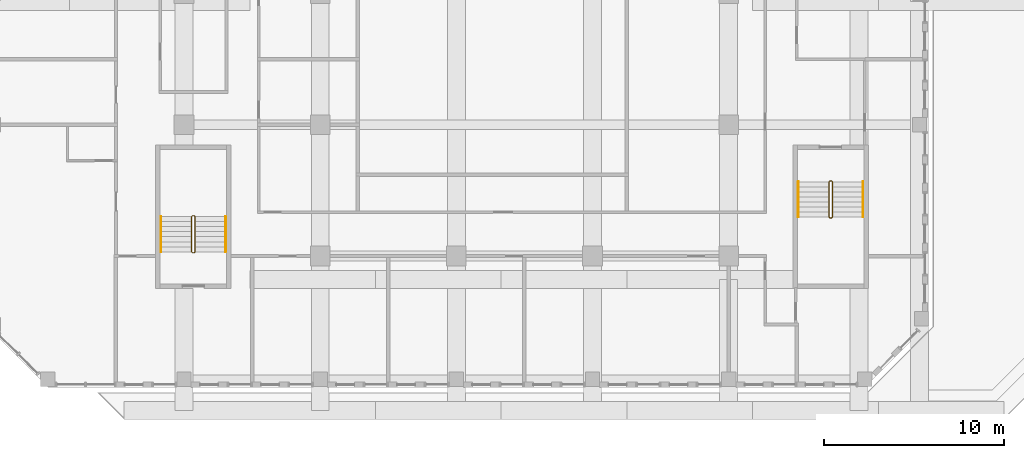
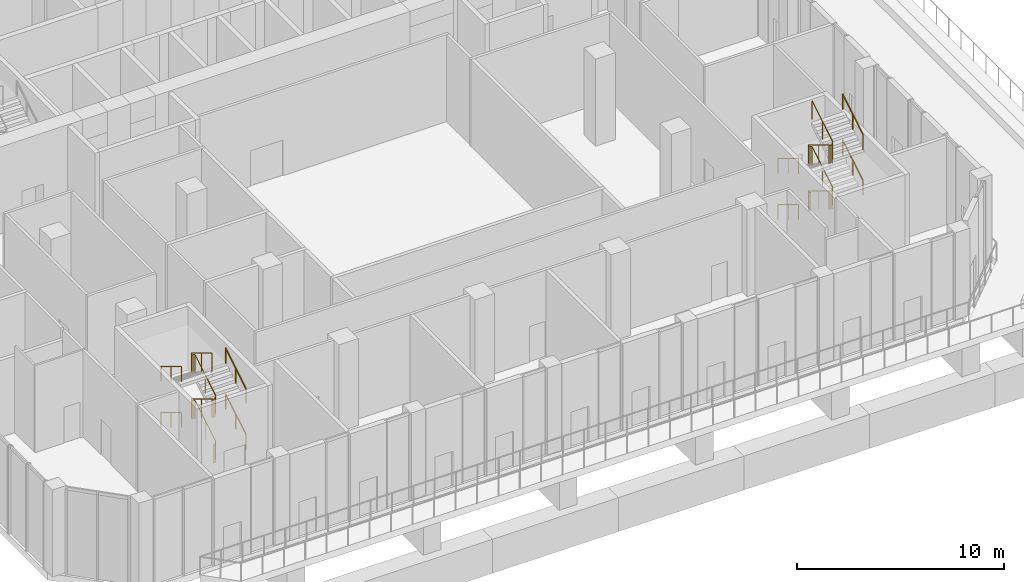
# One storey, part 17 of 19: 10 railings.
"""IFC4 building model written with IfcOpenShell, lengths in metres."""

import ifcopenshell
import ifcopenshell.guid

model = None  # the IFC model being written
_history = None  # IfcOwnerHistory: only IFC2X3 demands one
_inside = {}  # id of a spatial element -> (the spatial element, [elements in it])
_under = {}  # id of a project, library or spatial element -> (it, [spatial elements below it])
_declared = {}  # id of a project -> (the project, [libraries it declares])
_typed = {}  # id of a type object -> (the type object, [elements of that type])
_made_of = {}  # id of a material, layer set ... -> (it, [elements and type objects made of it])


def new_model(schema):
    """Start an empty IFC model of exactly this schema.

    Asked for "IFC4X3", IfcOpenShell would pick the latest addendum, in which some entities
    have other attributes; the version numbers below select the first issue.
    IFC2X3 requires an IfcOwnerHistory on every rooted entity: one is made here for all.
    """
    global model, _history
    if schema == "IFC4X3":
        model = ifcopenshell.file(schema_version=(4, 3, 0, 0))
    else:
        model = ifcopenshell.file(schema=schema)
    _inside.clear()
    _under.clear()
    _declared.clear()
    _typed.clear()
    _made_of.clear()
    _history = None
    if model.schema == "IFC2X3":
        org = make("IfcOrganization", Name="unknown")
        user = make(
            "IfcPersonAndOrganization",
            ThePerson=make("IfcPerson", FamilyName="unknown"),
            TheOrganization=org,
        )
        app = make(
            "IfcApplication",
            ApplicationDeveloper=org,
            Version="unknown",
            ApplicationFullName="unknown",
            ApplicationIdentifier="unknown",
        )
        _history = make(
            "IfcOwnerHistory",
            OwningUser=user,
            OwningApplication=app,
            ChangeAction="ADDED",
            CreationDate=0,
        )
    return model


def make(cls, **values):
    """One entity of the class cls with the attributes given. An attribute that is None is left unset."""
    return model.create_entity(
        cls, **{name: value for name, value in values.items() if value is not None}
    )


def rooted(cls, **values):
    """An entity with a GlobalId (a new one), such as an element, a storey or a relation."""
    return make(cls, GlobalId=ifcopenshell.guid.new(), OwnerHistory=_history, **values)


def si_unit(unit_type, name, prefix=None):
    """IfcSIUnit, for example si_unit("LENGTHUNIT", "METRE", prefix="MILLI")."""
    return make("IfcSIUnit", UnitType=unit_type, Prefix=prefix, Name=name)


def assignment(units):
    """IfcUnitAssignment: the units of a project."""
    return None if units is None else make("IfcUnitAssignment", Units=units)


def point(xyz):
    """IfcCartesianPoint."""
    return None if xyz is None else make("IfcCartesianPoint", Coordinates=xyz)


def direction(xyz):
    """IfcDirection."""
    return None if xyz is None else make("IfcDirection", DirectionRatios=xyz)


def frame(location, z_axis=None, x_axis=None):
    """IfcAxis2Placement3D, a coordinate frame: its origin and axes. An axis left out is left unset."""
    return make(
        "IfcAxis2Placement3D",
        Location=point(location),
        Axis=direction(z_axis),
        RefDirection=direction(x_axis),
    )


def frame_2d(location, x_axis=None):
    """IfcAxis2Placement2D, a coordinate frame in the plane: its origin and x axis."""
    return make(
        "IfcAxis2Placement2D", Location=point(location), RefDirection=direction(x_axis)
    )


def origin():
    """The frame at (0, 0, 0) with its axes left unset."""
    return frame((0.0, 0.0, 0.0))


def origin_2d():
    """The frame at (0, 0) in the plane with its x axis left unset."""
    return frame_2d((0.0, 0.0))


def place(relative_to, where):
    """IfcLocalPlacement: puts the frame where relative to a parent placement (None: the world)."""
    return make(
        "IfcLocalPlacement", PlacementRelTo=relative_to, RelativePlacement=where
    )


def context(
    kind, dimensions, precision=None, world=None, true_north=None, identifier=None
):
    """IfcGeometricRepresentationContext, for example the 3D "Model" context."""
    return make(
        "IfcGeometricRepresentationContext",
        ContextIdentifier=identifier,
        ContextType=kind,
        CoordinateSpaceDimension=dimensions,
        Precision=precision,
        WorldCoordinateSystem=world,
        TrueNorth=true_north,
    )


def subcontext(parent, identifier, kind, view, scale=None):
    """IfcGeometricRepresentationSubContext, for example "Body" below "Model"."""
    return make(
        "IfcGeometricRepresentationSubContext",
        ContextIdentifier=identifier,
        ContextType=kind,
        ParentContext=parent,
        TargetScale=scale,
        TargetView=view,
    )


def project(units=None, contexts=None):
    """IfcProject with its units and contexts."""
    return rooted(
        "IfcProject",
        Name="project",
        RepresentationContexts=contexts,
        UnitsInContext=assignment(units),
    )


def spatial(cls, under=None, at=None, **own):
    """A site, building, storey or space (cls), placed at a placement, below another one or the project."""
    s = rooted(cls, ObjectPlacement=at, **own)
    if under is not None:
        _under.setdefault(under.id(), (under, []))[1].append(s)
    return s


def profile(cls, at=None, kind="AREA", **sizes):
    """A parametric profile (cls). Its sizes go by their IFC names, for example OverallWidth=200.0."""
    return make(cls, ProfileType=kind, Position=at, **sizes)


def circle(**sizes):
    """IfcCircleProfileDef."""
    return profile("IfcCircleProfileDef", **sizes)


def extrude(swept, where, along, depth):
    """IfcExtrudedAreaSolid: the profile swept, set in the frame where, extruded along a direction by depth."""
    return make(
        "IfcExtrudedAreaSolid",
        SweptArea=swept,
        Position=where,
        ExtrudedDirection=direction(along),
        Depth=depth,
    )


def shape(context_of_items, identifier, shape_type, items):
    """IfcShapeRepresentation: the items that make up one representation, for example the "Body"."""
    return make(
        "IfcShapeRepresentation",
        ContextOfItems=context_of_items,
        RepresentationIdentifier=identifier,
        RepresentationType=shape_type,
        Items=items,
    )


def material(Name=None, Category=None):
    """IfcMaterial."""
    return make("IfcMaterial", Name=Name, Category=Category)


def made_of(thing, what):
    """Note that an element or type object is made of a material, layer set ...; save() writes the relation."""
    if what is not None:
        _made_of.setdefault(what.id(), (what, []))[1].append(thing)
    return thing


def type_object(cls, material=None, **own):
    """A type object (cls), such as IfcWallType, which elements share."""
    return made_of(rooted(cls, **own), material)


def element(
    cls,
    number,
    at=None,
    inside=None,
    cuts=None,
    type_object=None,
    material=None,
    context=None,
    identifier="Body",
    shape_type=None,
    held_by="IfcProductDefinitionShape",
    body=None,
    shapes=None,
    **own,
):
    """One element of the class cls, such as IfcWall. Its Tag is "e" and its number.

    at: its placement. inside: the storey or other place that contains it. cuts: it is an
    opening in that element (IfcRelVoidsElement). A single representation is given by context,
    identifier, shape_type and body (its items); several are given by shapes. held_by: the class
    of the entity that holds the representations. save() writes the other relations.
    """
    e = rooted(cls, Tag="e%d" % number, ObjectPlacement=at, **own)
    if body is not None:
        shapes = [shape(context, identifier, shape_type, body)]
    if shapes is not None:
        e.Representation = make(held_by, Representations=shapes)
    if inside is not None:
        _inside.setdefault(inside.id(), (inside, []))[1].append(e)
    if cuts is not None:
        rooted(
            "IfcRelVoidsElement", RelatingBuildingElement=cuts, RelatedOpeningElement=e
        )
    if type_object is not None:
        _typed.setdefault(type_object.id(), (type_object, []))[1].append(e)
    return made_of(e, material)


def aggregate(whole, parts):
    """IfcRelAggregates: a whole, such as a stair, and the parts it consists of."""
    return rooted("IfcRelAggregates", RelatingObject=whole, RelatedObjects=parts)


def save(model, path):
    """Write the relations noted so far, then the file.

    IfcRelAggregates (storeys below a building ...), IfcRelContainedInSpatialStructure (elements
    in a storey), IfcRelDefinesByType, IfcRelAssociatesMaterial and IfcRelDeclares: one each for
    every whole, place, type object, material and project.
    """
    for whole, parts in _under.values():
        aggregate(whole, parts)
    for where, things in _inside.values():
        rooted(
            "IfcRelContainedInSpatialStructure",
            RelatedElements=things,
            RelatingStructure=where,
        )
    for kind, things in _typed.values():
        rooted("IfcRelDefinesByType", RelatedObjects=things, RelatingType=kind)
    for what, things in _made_of.values():
        rooted("IfcRelAssociatesMaterial", RelatedObjects=things, RelatingMaterial=what)
    for by, libraries in _declared.values():
        rooted("IfcRelDeclares", RelatingContext=by, RelatedDefinitions=libraries)
    model.write(path)


model = new_model("IFC4")

# Units and contexts
model_context = context("Model", 3, precision=1e-05, world=origin(), true_north=direction((0.0, 1.0)))
body_context = subcontext(model_context, "Body", "Model", "MODEL_VIEW")
ifc_project = project(units=[si_unit("LENGTHUNIT", "METRE"), si_unit("AREAUNIT", "SQUARE_METRE"), si_unit("VOLUMEUNIT", "CUBIC_METRE"), si_unit("PLANEANGLEUNIT", "RADIAN"), si_unit("MASSUNIT", "GRAM", prefix="KILO")], contexts=[model_context])

# Site, building, storey
site_placement = place(None, origin())
site = spatial("IfcSite", under=ifc_project, at=site_placement, CompositionType="ELEMENT")
building_placement = place(site_placement, origin())
building = spatial("IfcBuilding", under=site, at=building_placement, Name="Kilnfold Tower and Market Hall", CompositionType="ELEMENT")
storey_placement = place(building_placement, frame((0.0, 0.0, 138.5)))
storey = spatial("IfcBuildingStorey", under=building, at=storey_placement, Name="L31", CompositionType="ELEMENT", Elevation=138.5)

# Railings
ifc_material_1 = material(Name="Stainless steel 316", Category="steel")
railing_type_1 = type_object("IfcRailingType", Name="CORE STAIR GUARD 1100", PredefinedType="GUARDRAIL", material=ifc_material_1)
railing_1_placement = place(storey_placement, frame((-15.699951171875, -13.75, 0.0)))
element("IfcRailing", 1, at=railing_1_placement, inside=storey, type_object=railing_type_1, Name="L31 ST3 stair guard 1", PredefinedType="GUARDRAIL", context=body_context, shape_type="SweptSolid", body=[
    extrude(circle(Radius=0.02392578125, at=origin_2d()), frame((0.0, 0.0, 1.076171875), z_axis=(1.0, 0.0, 0.0), x_axis=(0.0, 1.0, 0.0)), (0.0, 0.0, 1.0), 0.099853515625),
    extrude(circle(Radius=0.02392578125, at=origin_2d()), frame((0.099853515625, 0.0, 1.076171875), z_axis=(0.273569069059, 0.273569069059, 0.922127935218), x_axis=(-0.707106781187, 0.707106781187, 0.0)), (0.0, 0.0, 1.0), 0.182861328125),
    extrude(circle(Radius=0.02392578125, at=origin_2d()), frame((0.14990234375, 0.050048828125, 1.24462890625), z_axis=(0.0, 0.856446297458, 0.516236127728), x_axis=(-1.0, 0.0, 0.0)), (0.0, 0.0, 1.0), 2.28857421875),
    extrude(circle(Radius=0.02392578125, at=origin_2d()), frame((0.14990234375, 2.010009765625, 2.42626953125), z_axis=(-0.707106781187, 0.707106781187, 0.0), x_axis=(-0.707106781187, -0.707106781187, 0.0)), (0.0, 0.0, 1.0), 0.07080078125),
    extrude(circle(Radius=0.02392578125, at=origin_2d()), frame((0.099853515625, 2.06005859375, 2.42626953125), z_axis=(-1.0, 0.0, 0.0), x_axis=(0.0, -1.0, 0.0)), (0.0, 0.0, 1.0), 0.099853515625),
    extrude(circle(Radius=0.02392578125, at=origin_2d()), frame((0.0, 2.06005859375, 2.42626953125), z_axis=(-0.273569069059, -0.273569069059, 0.922127935218), x_axis=(0.707106781187, -0.707106781187, 0.0)), (0.0, 0.0, 1.0), 0.182861328125),
    extrude(circle(Radius=0.02392578125, at=origin_2d()), frame((-0.050048828125, 2.010009765625, 2.5947265625), z_axis=(0.0, -0.856493463811, 0.516157869696), x_axis=(1.0, 0.0, 0.0)), (0.0, 0.0, 1.0), 2.288330078125),
    extrude(circle(Radius=0.02392578125, at=origin_2d()), frame((-0.050048828125, 0.050048828125, 3.77587890625), z_axis=(0.707106781187, -0.707106781187, 0.0), x_axis=(0.707106781187, 0.707106781187, 0.0)), (0.0, 0.0, 1.0), 0.07080078125),
    extrude(circle(Radius=0.02392578125, at=origin_2d()), frame((0.0, 0.0, 3.77587890625), z_axis=(1.0, 0.0, 0.0), x_axis=(0.0, 1.0, 0.0)), (0.0, 0.0, 1.0), 0.099853515625),
    extrude(circle(Radius=0.02392578125, at=origin_2d()), frame((0.099853515625, 0.0, 3.77587890625), z_axis=(0.273232802156, 0.273232802156, 0.922327312645), x_axis=(-0.707106781187, 0.707106781187, 0.0)), (0.0, 0.0, 1.0), 0.18310546875),
    extrude(circle(Radius=0.02392578125, at=origin_2d()), frame((0.14990234375, 0.050048828125, 3.94482421875), z_axis=(0.0, 0.856493463811, 0.516157869696), x_axis=(-1.0, 0.0, 0.0)), (0.0, 0.0, 1.0), 2.288330078125),
    extrude(circle(Radius=0.02392578125, at=origin_2d()), frame((0.14990234375, 2.010009765625, 5.1259765625), z_axis=(-0.707106781187, 0.707106781187, 0.0), x_axis=(-0.707106781187, -0.707106781187, 0.0)), (0.0, 0.0, 1.0), 0.07080078125),
    extrude(circle(Radius=0.02392578125, at=origin_2d()), frame((0.099853515625, 2.06005859375, 5.1259765625), z_axis=(-1.0, 0.0, 0.0), x_axis=(0.0, -1.0, 0.0)), (0.0, 0.0, 1.0), 0.099853515625),
    extrude(circle(Radius=0.02392578125, at=origin_2d()), frame((0.0, 2.06005859375, 5.1259765625), z_axis=(-0.273569069059, -0.273569069059, 0.922127935218), x_axis=(0.707106781187, -0.707106781187, 0.0)), (0.0, 0.0, 1.0), 0.182861328125),
    extrude(circle(Radius=0.02392578125, at=origin_2d()), frame((-0.050048828125, 2.010009765625, 5.294921875), z_axis=(0.0, -0.856493463811, 0.516157869696), x_axis=(1.0, 0.0, 0.0)), (0.0, 0.0, 1.0), 2.288330078125),
    extrude(circle(Radius=0.02099609375, at=origin_2d()), origin(), (0.0, 0.0, 1.0), 1.052001953125),
    extrude(circle(Radius=0.02099609375, at=origin_2d()), frame((0.099853515625, 0.0, 0.0)), (0.0, 0.0, 1.0), 1.052001953125),
    extrude(circle(Radius=0.02099609375, at=origin_2d()), frame((0.14990234375, 0.050048828125, 0.168701171875)), (0.0, 0.0, 1.0), 1.052001953125),
    extrude(circle(Radius=0.02099609375, at=origin_2d()), frame((0.14990234375, 1.030029296875, 0.75927734375)), (0.0, 0.0, 1.0), 1.052001953125),
    extrude(circle(Radius=0.02099609375, at=origin_2d()), frame((0.14990234375, 2.010009765625, 1.35009765625)), (0.0, 0.0, 1.0), 1.052001953125),
    extrude(circle(Radius=0.02099609375, at=origin_2d()), frame((0.099853515625, 2.06005859375, 1.35009765625)), (0.0, 0.0, 1.0), 1.052001953125),
    extrude(circle(Radius=0.02099609375, at=origin_2d()), frame((0.0, 2.06005859375, 1.35009765625)), (0.0, 0.0, 1.0), 1.052001953125),
    extrude(circle(Radius=0.02099609375, at=origin_2d()), frame((-0.050048828125, 2.010009765625, 1.518798828125)), (0.0, 0.0, 1.0), 1.052001953125),
    extrude(circle(Radius=0.02099609375, at=origin_2d()), frame((-0.050048828125, 1.030029296875, 2.109375)), (0.0, 0.0, 1.0), 1.052001953125),
    extrude(circle(Radius=0.02099609375, at=origin_2d()), frame((-0.050048828125, 0.050048828125, 2.699951171875)), (0.0, 0.0, 1.0), 1.052001953125),
    extrude(circle(Radius=0.02099609375, at=origin_2d()), frame((0.0, 0.0, 2.699951171875)), (0.0, 0.0, 1.0), 1.052001953125),
    extrude(circle(Radius=0.02099609375, at=origin_2d()), frame((0.099853515625, 0.0, 2.699951171875)), (0.0, 0.0, 1.0), 1.052001953125),
    extrude(circle(Radius=0.02099609375, at=origin_2d()), frame((0.14990234375, 0.050048828125, 2.868896484375)), (0.0, 0.0, 1.0), 1.052001953125),
    extrude(circle(Radius=0.02099609375, at=origin_2d()), frame((0.14990234375, 1.030029296875, 3.45947265625)), (0.0, 0.0, 1.0), 1.052001953125),
    extrude(circle(Radius=0.02099609375, at=origin_2d()), frame((0.14990234375, 2.010009765625, 4.050048828125)), (0.0, 0.0, 1.0), 1.052001953125),
    extrude(circle(Radius=0.02099609375, at=origin_2d()), frame((0.099853515625, 2.06005859375, 4.050048828125)), (0.0, 0.0, 1.0), 1.052001953125),
    extrude(circle(Radius=0.02099609375, at=origin_2d()), frame((0.0, 2.06005859375, 4.050048828125)), (0.0, 0.0, 1.0), 1.052001953125),
    extrude(circle(Radius=0.02099609375, at=origin_2d()), frame((-0.050048828125, 2.010009765625, 4.21875)), (0.0, 0.0, 1.0), 1.052001953125),
    extrude(circle(Radius=0.02099609375, at=origin_2d()), frame((-0.050048828125, 1.030029296875, 4.809326171875)), (0.0, 0.0, 1.0), 1.052001953125),
    extrude(circle(Radius=0.02099609375, at=origin_2d()), frame((-0.050048828125, 0.050048828125, 5.39990234375)), (0.0, 0.0, 1.0), 1.052001953125),
])
railing_2_placement = place(storey_placement, frame((19.89990234375, -9.75, 0.0)))
element("IfcRailing", 2, at=railing_2_placement, inside=storey, type_object=railing_type_1, Name="L31 ST4 stair guard 1", PredefinedType="GUARDRAIL", context=body_context, shape_type="SweptSolid", body=[
    extrude(circle(Radius=0.02392578125, at=origin_2d()), frame((0.0, 0.0, 1.076171875), z_axis=(-1.0, 0.0, 0.0), x_axis=(0.0, -1.0, 0.0)), (0.0, 0.0, 1.0), 0.099853515625),
    extrude(circle(Radius=0.02392578125, at=origin_2d()), frame((-0.099853515625, 0.0, 1.076171875), z_axis=(-0.273569069059, -0.273569069059, 0.922127935218), x_axis=(0.707106781187, -0.707106781187, 0.0)), (0.0, 0.0, 1.0), 0.182861328125),
    extrude(circle(Radius=0.02392578125, at=origin_2d()), frame((-0.14990234375, -0.050048828125, 1.24462890625), z_axis=(0.0, -0.856446297458, 0.516236127728), x_axis=(1.0, 0.0, 0.0)), (0.0, 0.0, 1.0), 2.28857421875),
    extrude(circle(Radius=0.02392578125, at=origin_2d()), frame((-0.14990234375, -2.010009765625, 2.42626953125), z_axis=(0.707106781187, -0.707106781187, 0.0), x_axis=(0.707106781187, 0.707106781187, 0.0)), (0.0, 0.0, 1.0), 0.07080078125),
    extrude(circle(Radius=0.02392578125, at=origin_2d()), frame((-0.099853515625, -2.06005859375, 2.42626953125), z_axis=(1.0, 0.0, 0.0), x_axis=(0.0, 1.0, 0.0)), (0.0, 0.0, 1.0), 0.099853515625),
    extrude(circle(Radius=0.02392578125, at=origin_2d()), frame((0.0, -2.06005859375, 2.42626953125), z_axis=(0.273569069059, 0.273569069059, 0.922127935218), x_axis=(-0.707106781187, 0.707106781187, 0.0)), (0.0, 0.0, 1.0), 0.182861328125),
    extrude(circle(Radius=0.02392578125, at=origin_2d()), frame((0.050048828125, -2.010009765625, 2.5947265625), z_axis=(0.0, 0.856493463811, 0.516157869696), x_axis=(-1.0, 0.0, 0.0)), (0.0, 0.0, 1.0), 2.288330078125),
    extrude(circle(Radius=0.02392578125, at=origin_2d()), frame((0.050048828125, -0.050048828125, 3.77587890625), z_axis=(-0.707106781187, 0.707106781187, 0.0), x_axis=(-0.707106781187, -0.707106781187, 0.0)), (0.0, 0.0, 1.0), 0.07080078125),
    extrude(circle(Radius=0.02392578125, at=origin_2d()), frame((0.0, 0.0, 3.77587890625), z_axis=(-1.0, 0.0, 0.0), x_axis=(0.0, -1.0, 0.0)), (0.0, 0.0, 1.0), 0.099853515625),
    extrude(circle(Radius=0.02392578125, at=origin_2d()), frame((-0.099853515625, 0.0, 3.77587890625), z_axis=(-0.273232802156, -0.273232802156, 0.922327312645), x_axis=(0.707106781187, -0.707106781187, 0.0)), (0.0, 0.0, 1.0), 0.18310546875),
    extrude(circle(Radius=0.02392578125, at=origin_2d()), frame((-0.14990234375, -0.050048828125, 3.94482421875), z_axis=(0.0, -0.856493463811, 0.516157869696), x_axis=(1.0, 0.0, 0.0)), (0.0, 0.0, 1.0), 2.288330078125),
    extrude(circle(Radius=0.02392578125, at=origin_2d()), frame((-0.14990234375, -2.010009765625, 5.1259765625), z_axis=(0.707106781187, -0.707106781187, 0.0), x_axis=(0.707106781187, 0.707106781187, 0.0)), (0.0, 0.0, 1.0), 0.07080078125),
    extrude(circle(Radius=0.02392578125, at=origin_2d()), frame((-0.099853515625, -2.06005859375, 5.1259765625), z_axis=(1.0, 0.0, 0.0), x_axis=(0.0, 1.0, 0.0)), (0.0, 0.0, 1.0), 0.099853515625),
    extrude(circle(Radius=0.02392578125, at=origin_2d()), frame((0.0, -2.06005859375, 5.1259765625), z_axis=(0.273569069059, 0.273569069059, 0.922127935218), x_axis=(-0.707106781187, 0.707106781187, 0.0)), (0.0, 0.0, 1.0), 0.182861328125),
    extrude(circle(Radius=0.02392578125, at=origin_2d()), frame((0.050048828125, -2.010009765625, 5.294921875), z_axis=(0.0, 0.856493463811, 0.516157869696), x_axis=(-1.0, 0.0, 0.0)), (0.0, 0.0, 1.0), 2.288330078125),
    extrude(circle(Radius=0.02099609375, at=origin_2d()), origin(), (0.0, 0.0, 1.0), 1.052001953125),
    extrude(circle(Radius=0.02099609375, at=origin_2d()), frame((-0.099853515625, 0.0, 0.0)), (0.0, 0.0, 1.0), 1.052001953125),
    extrude(circle(Radius=0.02099609375, at=origin_2d()), frame((-0.14990234375, -0.050048828125, 0.168701171875)), (0.0, 0.0, 1.0), 1.052001953125),
    extrude(circle(Radius=0.02099609375, at=origin_2d()), frame((-0.14990234375, -1.030029296875, 0.75927734375)), (0.0, 0.0, 1.0), 1.052001953125),
    extrude(circle(Radius=0.02099609375, at=origin_2d()), frame((-0.14990234375, -2.010009765625, 1.35009765625)), (0.0, 0.0, 1.0), 1.052001953125),
    extrude(circle(Radius=0.02099609375, at=origin_2d()), frame((-0.099853515625, -2.06005859375, 1.35009765625)), (0.0, 0.0, 1.0), 1.052001953125),
    extrude(circle(Radius=0.02099609375, at=origin_2d()), frame((0.0, -2.06005859375, 1.35009765625)), (0.0, 0.0, 1.0), 1.052001953125),
    extrude(circle(Radius=0.02099609375, at=origin_2d()), frame((0.050048828125, -2.010009765625, 1.518798828125)), (0.0, 0.0, 1.0), 1.052001953125),
    extrude(circle(Radius=0.02099609375, at=origin_2d()), frame((0.050048828125, -1.030029296875, 2.109375)), (0.0, 0.0, 1.0), 1.052001953125),
    extrude(circle(Radius=0.02099609375, at=origin_2d()), frame((0.050048828125, -0.050048828125, 2.699951171875)), (0.0, 0.0, 1.0), 1.052001953125),
    extrude(circle(Radius=0.02099609375, at=origin_2d()), frame((0.0, 0.0, 2.699951171875)), (0.0, 0.0, 1.0), 1.052001953125),
    extrude(circle(Radius=0.02099609375, at=origin_2d()), frame((-0.099853515625, 0.0, 2.699951171875)), (0.0, 0.0, 1.0), 1.052001953125),
    extrude(circle(Radius=0.02099609375, at=origin_2d()), frame((-0.14990234375, -0.050048828125, 2.868896484375)), (0.0, 0.0, 1.0), 1.052001953125),
    extrude(circle(Radius=0.02099609375, at=origin_2d()), frame((-0.14990234375, -1.030029296875, 3.45947265625)), (0.0, 0.0, 1.0), 1.052001953125),
    extrude(circle(Radius=0.02099609375, at=origin_2d()), frame((-0.14990234375, -2.010009765625, 4.050048828125)), (0.0, 0.0, 1.0), 1.052001953125),
    extrude(circle(Radius=0.02099609375, at=origin_2d()), frame((-0.099853515625, -2.06005859375, 4.050048828125)), (0.0, 0.0, 1.0), 1.052001953125),
    extrude(circle(Radius=0.02099609375, at=origin_2d()), frame((0.0, -2.06005859375, 4.050048828125)), (0.0, 0.0, 1.0), 1.052001953125),
    extrude(circle(Radius=0.02099609375, at=origin_2d()), frame((0.050048828125, -2.010009765625, 4.21875)), (0.0, 0.0, 1.0), 1.052001953125),
    extrude(circle(Radius=0.02099609375, at=origin_2d()), frame((0.050048828125, -1.030029296875, 4.809326171875)), (0.0, 0.0, 1.0), 1.052001953125),
    extrude(circle(Radius=0.02099609375, at=origin_2d()), frame((0.050048828125, -0.050048828125, 5.39990234375)), (0.0, 0.0, 1.0), 1.052001953125),
])
ifc_material_2 = material(Name="Stainless steel 316", Category="steel")
railing_type_2 = type_object("IfcRailingType", Name="CORE STAIR HANDRAIL 900", PredefinedType="HANDRAIL", material=ifc_material_2)
railing_3_placement = place(storey_placement, frame((-13.85009765625, -13.699951171875, 0.168701171875)))
element("IfcRailing", 3, at=railing_3_placement, inside=storey, type_object=railing_type_2, Name="L31 ST3 stair handrail 1", PredefinedType="HANDRAIL", context=body_context, shape_type="SweptSolid", body=[
    extrude(circle(Radius=0.02392578125, at=origin_2d()), frame((0.0, 0.0, 0.8759765625), z_axis=(0.0, 0.856446297458, 0.516236127728), x_axis=(-1.0, 0.0, 0.0)), (0.0, 0.0, 1.0), 2.28857421875),
    extrude(circle(Radius=0.02099609375, at=origin_2d()), origin(), (0.0, 0.0, 1.0), 0.851806640625),
    extrude(circle(Radius=0.02099609375, at=origin_2d()), frame((0.0, 0.97998046875, 0.5908203125)), (0.0, 0.0, 1.0), 0.851806640625),
    extrude(circle(Radius=0.02099609375, at=origin_2d()), frame((0.0, 1.9599609375, 1.181396484375)), (0.0, 0.0, 1.0), 0.851806640625),
])
railing_4_placement = place(storey_placement, frame((-17.449951171875, -11.739990234375, 1.518798828125)))
element("IfcRailing", 4, at=railing_4_placement, inside=storey, type_object=railing_type_2, Name="L31 ST3 stair handrail 2", PredefinedType="HANDRAIL", context=body_context, shape_type="SweptSolid", body=[
    extrude(circle(Radius=0.02392578125, at=origin_2d()), frame((0.0, 0.0, 0.8759765625), z_axis=(0.0, -0.856493463811, 0.516157869696), x_axis=(1.0, 0.0, 0.0)), (0.0, 0.0, 1.0), 2.288330078125),
    extrude(circle(Radius=0.02099609375, at=origin_2d()), origin(), (0.0, 0.0, 1.0), 0.851806640625),
    extrude(circle(Radius=0.02099609375, at=origin_2d()), frame((0.0, -0.97998046875, 0.590576171875)), (0.0, 0.0, 1.0), 0.851806640625),
    extrude(circle(Radius=0.02099609375, at=origin_2d()), frame((0.0, -1.9599609375, 1.18115234375)), (0.0, 0.0, 1.0), 0.851806640625),
])
railing_5_placement = place(storey_placement, frame((-13.85009765625, -13.699951171875, 2.868896484375)))
element("IfcRailing", 5, at=railing_5_placement, inside=storey, type_object=railing_type_2, Name="L31 ST3 stair handrail 3", PredefinedType="HANDRAIL", context=body_context, shape_type="SweptSolid", body=[
    extrude(circle(Radius=0.02392578125, at=origin_2d()), frame((0.0, 0.0, 0.8759765625), z_axis=(0.0, 0.856493463811, 0.516157869696), x_axis=(-1.0, 0.0, 0.0)), (0.0, 0.0, 1.0), 2.288330078125),
    extrude(circle(Radius=0.02099609375, at=origin_2d()), origin(), (0.0, 0.0, 1.0), 0.851806640625),
    extrude(circle(Radius=0.02099609375, at=origin_2d()), frame((0.0, 0.97998046875, 0.590576171875)), (0.0, 0.0, 1.0), 0.851806640625),
    extrude(circle(Radius=0.02099609375, at=origin_2d()), frame((0.0, 1.9599609375, 1.18115234375)), (0.0, 0.0, 1.0), 0.851806640625),
])
railing_6_placement = place(storey_placement, frame((-17.449951171875, -11.739990234375, 4.21875)))
element("IfcRailing", 6, at=railing_6_placement, inside=storey, type_object=railing_type_2, Name="L31 ST3 stair handrail 4", PredefinedType="HANDRAIL", context=body_context, shape_type="SweptSolid", body=[
    extrude(circle(Radius=0.02392578125, at=origin_2d()), frame((0.0, 0.0, 0.8759765625), z_axis=(0.0, -0.856493463811, 0.516157869696), x_axis=(1.0, 0.0, 0.0)), (0.0, 0.0, 1.0), 2.288330078125),
    extrude(circle(Radius=0.02099609375, at=origin_2d()), origin(), (0.0, 0.0, 1.0), 0.851806640625),
    extrude(circle(Radius=0.02099609375, at=origin_2d()), frame((0.0, -0.97998046875, 0.590576171875)), (0.0, 0.0, 1.0), 0.851806640625),
    extrude(circle(Radius=0.02099609375, at=origin_2d()), frame((0.0, -1.9599609375, 1.18115234375)), (0.0, 0.0, 1.0), 0.851806640625),
])
railing_7_placement = place(storey_placement, frame((18.050048828125, -9.800048828125, 0.168701171875)))
element("IfcRailing", 7, at=railing_7_placement, inside=storey, type_object=railing_type_2, Name="L31 ST4 stair handrail 1", PredefinedType="HANDRAIL", context=body_context, shape_type="SweptSolid", body=[
    extrude(circle(Radius=0.02392578125, at=origin_2d()), frame((0.0, 0.0, 0.8759765625), z_axis=(0.0, -0.856446297458, 0.516236127728), x_axis=(1.0, 0.0, 0.0)), (0.0, 0.0, 1.0), 2.28857421875),
    extrude(circle(Radius=0.02099609375, at=origin_2d()), origin(), (0.0, 0.0, 1.0), 0.851806640625),
    extrude(circle(Radius=0.02099609375, at=origin_2d()), frame((0.0, -0.97998046875, 0.5908203125)), (0.0, 0.0, 1.0), 0.851806640625),
    extrude(circle(Radius=0.02099609375, at=origin_2d()), frame((0.0, -1.9599609375, 1.181396484375)), (0.0, 0.0, 1.0), 0.851806640625),
])
railing_8_placement = place(storey_placement, frame((21.64990234375, -11.760009765625, 1.518798828125)))
element("IfcRailing", 8, at=railing_8_placement, inside=storey, type_object=railing_type_2, Name="L31 ST4 stair handrail 2", PredefinedType="HANDRAIL", context=body_context, shape_type="SweptSolid", body=[
    extrude(circle(Radius=0.02392578125, at=origin_2d()), frame((0.0, 0.0, 0.8759765625), z_axis=(0.0, 0.856493463811, 0.516157869696), x_axis=(-1.0, 0.0, 0.0)), (0.0, 0.0, 1.0), 2.288330078125),
    extrude(circle(Radius=0.02099609375, at=origin_2d()), origin(), (0.0, 0.0, 1.0), 0.851806640625),
    extrude(circle(Radius=0.02099609375, at=origin_2d()), frame((0.0, 0.97998046875, 0.590576171875)), (0.0, 0.0, 1.0), 0.851806640625),
    extrude(circle(Radius=0.02099609375, at=origin_2d()), frame((0.0, 1.9599609375, 1.18115234375)), (0.0, 0.0, 1.0), 0.851806640625),
])
railing_9_placement = place(storey_placement, frame((18.050048828125, -9.800048828125, 2.868896484375)))
element("IfcRailing", 9, at=railing_9_placement, inside=storey, type_object=railing_type_2, Name="L31 ST4 stair handrail 3", PredefinedType="HANDRAIL", context=body_context, shape_type="SweptSolid", body=[
    extrude(circle(Radius=0.02392578125, at=origin_2d()), frame((0.0, 0.0, 0.8759765625), z_axis=(0.0, -0.856493463811, 0.516157869696), x_axis=(1.0, 0.0, 0.0)), (0.0, 0.0, 1.0), 2.288330078125),
    extrude(circle(Radius=0.02099609375, at=origin_2d()), origin(), (0.0, 0.0, 1.0), 0.851806640625),
    extrude(circle(Radius=0.02099609375, at=origin_2d()), frame((0.0, -0.97998046875, 0.590576171875)), (0.0, 0.0, 1.0), 0.851806640625),
    extrude(circle(Radius=0.02099609375, at=origin_2d()), frame((0.0, -1.9599609375, 1.18115234375)), (0.0, 0.0, 1.0), 0.851806640625),
])
railing_10_placement = place(storey_placement, frame((21.64990234375, -11.760009765625, 4.21875)))
element("IfcRailing", 10, at=railing_10_placement, inside=storey, type_object=railing_type_2, Name="L31 ST4 stair handrail 4", PredefinedType="HANDRAIL", context=body_context, shape_type="SweptSolid", body=[
    extrude(circle(Radius=0.02392578125, at=origin_2d()), frame((0.0, 0.0, 0.8759765625), z_axis=(0.0, 0.856493463811, 0.516157869696), x_axis=(-1.0, 0.0, 0.0)), (0.0, 0.0, 1.0), 2.288330078125),
    extrude(circle(Radius=0.02099609375, at=origin_2d()), origin(), (0.0, 0.0, 1.0), 0.851806640625),
    extrude(circle(Radius=0.02099609375, at=origin_2d()), frame((0.0, 0.97998046875, 0.590576171875)), (0.0, 0.0, 1.0), 0.851806640625),
    extrude(circle(Radius=0.02099609375, at=origin_2d()), frame((0.0, 1.9599609375, 1.18115234375)), (0.0, 0.0, 1.0), 0.851806640625),
])

save(model, "model.ifc")
